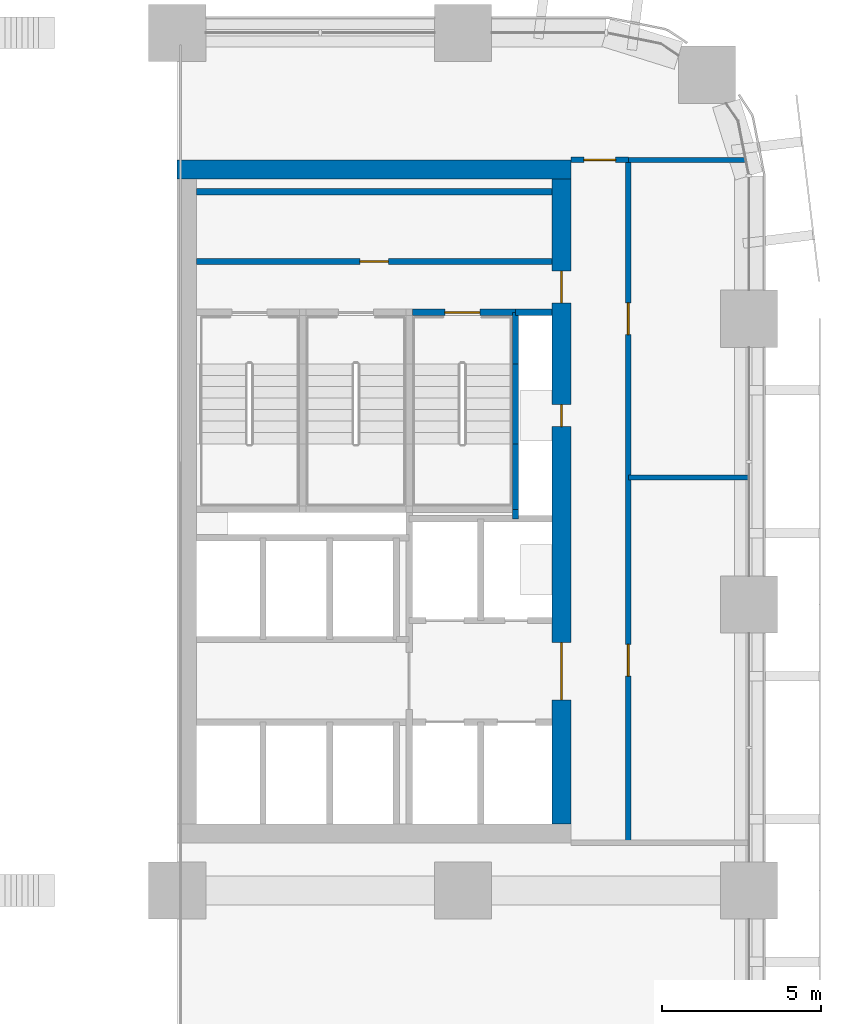
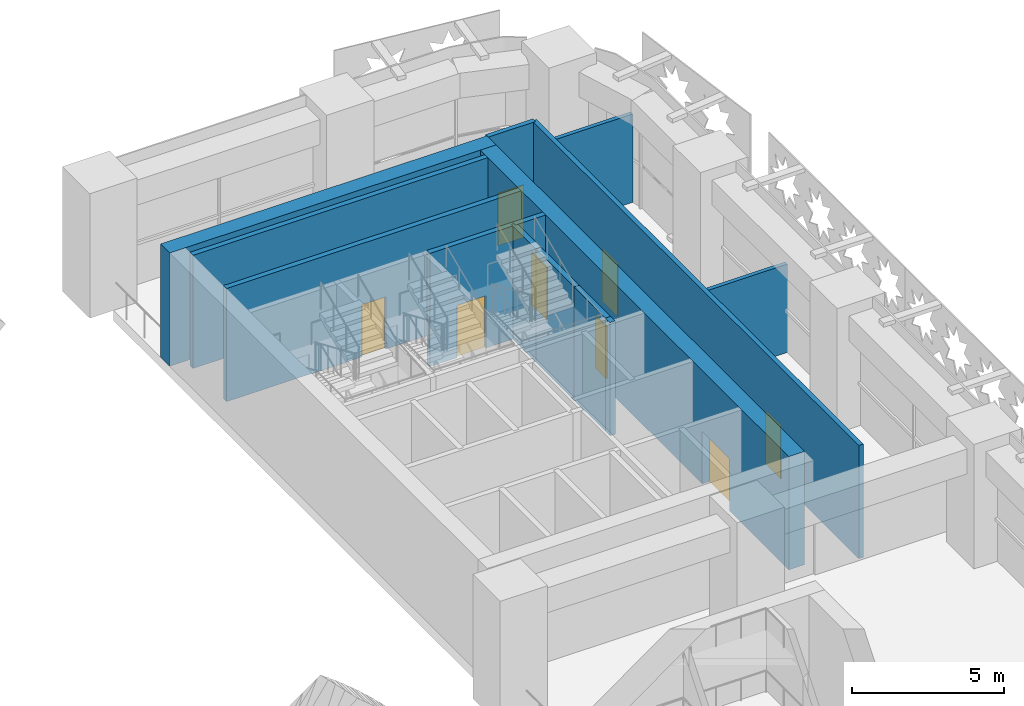
# One storey, part 22 of 40: 14 walls, 8 doors, 8 openings.
"""IFC4 building model written with IfcOpenShell, lengths in metres."""

from ifc_helpers import new_model, si_unit, direction, frame, frame_2d, origin, place, context, subcontext, project, spatial, rectangle, extrude, material, layer, layer_set, type_object, element, fill, save


model = new_model("IFC4")

# Units and contexts
model_context = context("Model", 3, precision=1e-05, world=origin(), true_north=direction((0.0, 1.0)))
body_context = subcontext(model_context, "Body", "Model", "MODEL_VIEW")
ifc_project = project(units=[si_unit("LENGTHUNIT", "METRE"), si_unit("AREAUNIT", "SQUARE_METRE"), si_unit("VOLUMEUNIT", "CUBIC_METRE"), si_unit("PLANEANGLEUNIT", "RADIAN"), si_unit("MASSUNIT", "GRAM", prefix="KILO")], contexts=[model_context])

# Site, building, storey
site_placement = place(None, origin())
site = spatial("IfcSite", under=ifc_project, at=site_placement, CompositionType="ELEMENT")
building_placement = place(site_placement, origin())
building = spatial("IfcBuilding", under=site, at=building_placement, Name="Tessera Arch", CompositionType="ELEMENT")
storey_placement = place(building_placement, frame((0.0, 0.0, 21.0)))
storey = spatial("IfcBuildingStorey", under=building, at=storey_placement, Name="L03", CompositionType="ELEMENT", Elevation=21.0)

# Wall, opening, door
ifc_material_1 = material(Name="Gypsum board on steel stud", Category="steel")
ifc_layer_1 = layer(ifc_material_1, 0.125)
ifc_layer_set_1 = layer_set([ifc_layer_1], Name="Core partition 125 EI 60")
wall_type_1 = type_object("IfcWallType", Name="Core partition 125 EI 60", PredefinedType="PARTITIONING", material=ifc_layer_set_1)
wall_1_placement = place(storey_placement, frame((36.60009765625, 46.800048828125, 0.0), z_axis=(0.0, 0.0, 1.0), x_axis=(1.0, 0.0, 0.0)))
wall_1 = element("IfcWall", 1, at=wall_1_placement, inside=storey, type_object=wall_type_1, Name="L03 C1 partition wall 37", PredefinedType="PARTITIONING", context=body_context, shape_type="SweptSolid", body=[
    extrude(rectangle(XDim=11.199951171875, YDim=0.199951171875, at=frame_2d((5.60009765625, 0.0))), origin(), (0.0, 0.0, 1.0), 4.550048828125),
])
opening_1_placement = place(wall_1_placement, frame((5.14990234375, 0.0, 0.0)))
opening_1 = element("IfcOpeningElement", 2, at=opening_1_placement, cuts=wall_1, Name="Opening L03-C12", PredefinedType="OPENING", context=body_context, shape_type="SweptSolid", body=[
    extrude(rectangle(XDim=0.89990234375, YDim=2.10009765625, at=frame_2d((0.449951171875, 1.050048828125))), frame((0.0, 0.10986328125, 0.0), z_axis=(0.0, -1.0, 0.0), x_axis=(1.0, 0.0, 0.0)), (0.0, 0.0, 1.0), 0.219970703125),
])
ifc_material_2 = material(Name="Steel door leaf", Category="steel")
door_type_1 = type_object("IfcDoorType", Name="Store door FD30S 900 x 2100", OperationType="SINGLE_SWING_LEFT", PredefinedType="DOOR", material=ifc_material_2)
door_1_placement = place(opening_1_placement, origin())
door_1 = element("IfcDoor", 3, at=door_1_placement, inside=storey, type_object=door_type_1, Name="L03 C1 door 12 C12 type D09", OperationType="SINGLE_SWING_RIGHT", OverallHeight=2.10009765625, OverallWidth=0.89990234375, PredefinedType="DOOR", context=body_context, shape_type="SweptSolid", body=[
    extrude(rectangle(XDim=0.89990234375, YDim=2.10009765625, at=frame_2d((0.449951171875, 1.050048828125))), frame((0.0, 0.02490234375, 0.0), z_axis=(0.0, -1.0, 0.0), x_axis=(1.0, 0.0, 0.0)), (0.0, 0.0, 1.0), 0.050048828125),
])
fill(opening_1, door_1)

# Walls
wall_2_placement = place(storey_placement, frame((36.60009765625, 49.0, 0.0), z_axis=(0.0, 0.0, 1.0), x_axis=(1.0, 0.0, 0.0)))
element("IfcWall", 4, at=wall_2_placement, inside=storey, type_object=wall_type_1, Name="L03 C1 partition wall 38", PredefinedType="PARTITIONING", context=body_context, shape_type="SweptSolid", body=[
    extrude(rectangle(XDim=11.199951171875, YDim=0.199951171875, at=frame_2d((5.60009765625, 0.0))), origin(), (0.0, 0.0, 1.0), 4.550048828125),
])
ifc_material_3 = material(Name="Concrete C70/85", Category="concrete")
ifc_layer_2 = layer(ifc_material_3, 0.60009765625)
ifc_layer_set_2 = layer_set([ifc_layer_2], Name="Core shell wall 600 C70-85")
wall_type_2 = type_object("IfcWallType", Name="Core shell wall 600 C70-85", PredefinedType="SHEAR", material=ifc_layer_set_2)
wall_3_placement = place(storey_placement, frame((36.0, 49.699951171875, 0.0), z_axis=(0.0, 0.0, 1.0), x_axis=(1.0, 0.0, 0.0)))
element("IfcWall", 5, at=wall_3_placement, inside=storey, type_object=wall_type_2, Name="L03 C1 core wall N", PredefinedType="SHEAR", context=body_context, shape_type="SweptSolid", body=[
    extrude(rectangle(XDim=12.39990234375, YDim=0.60009765625, at=frame_2d((6.199951171875, 0.0))), origin(), (0.0, 0.0, 1.0), 4.550048828125),
])

# Wall, openings, doors
wall_4_placement = place(storey_placement, frame((48.10009765625, 29.10009765625, 0.0), z_axis=(0.0, 0.0, 1.0), x_axis=(0.0, 1.0, 0.0)))
wall_4 = element("IfcWall", 6, at=wall_4_placement, inside=storey, type_object=wall_type_2, Name="L03 C1 core wall E", PredefinedType="SHEAR", context=body_context, shape_type="SweptSolid", body=[
    extrude(rectangle(XDim=20.2998046875, YDim=0.60009765625, at=frame_2d((10.14990234375, 0.0))), origin(), (0.0, 0.0, 1.0), 4.550048828125),
])
opening_2_placement = place(wall_4_placement, frame((12.5, 0.0, 0.0)))
opening_2 = element("IfcOpeningElement", 7, at=opening_2_placement, cuts=wall_4, Name="Opening L03-C08", PredefinedType="OPENING", context=body_context, shape_type="SweptSolid", body=[
    extrude(rectangle(XDim=0.699951171875, YDim=2.10009765625, at=frame_2d((0.35009765625, 1.050048828125))), frame((0.0, 0.31005859375, 0.0), z_axis=(0.0, -1.0, 0.0), x_axis=(1.0, 0.0, 0.0)), (0.0, 0.0, 1.0), 0.6201171875),
])
opening_3_placement = place(wall_4_placement, frame((3.89990234375, 0.0, 0.0)))
opening_3 = element("IfcOpeningElement", 8, at=opening_3_placement, cuts=wall_4, Name="Opening L03-C09", PredefinedType="OPENING", context=body_context, shape_type="SweptSolid", body=[
    extrude(rectangle(XDim=1.800048828125, YDim=2.10009765625, at=frame_2d((0.89990234375, 1.050048828125))), frame((0.0, 0.31005859375, 0.0), z_axis=(0.0, -1.0, 0.0), x_axis=(1.0, 0.0, 0.0)), (0.0, 0.0, 1.0), 0.6201171875),
])
opening_4_placement = place(wall_4_placement, frame((16.39990234375, 0.0, 0.0)))
opening_4 = element("IfcOpeningElement", 9, at=opening_4_placement, cuts=wall_4, Name="Opening L03-C11", PredefinedType="OPENING", context=body_context, shape_type="SweptSolid", body=[
    extrude(rectangle(XDim=1.0, YDim=2.10009765625, at=frame_2d((0.5, 1.050048828125))), frame((0.0, 0.31005859375, 0.0), z_axis=(0.0, -1.0, 0.0), x_axis=(1.0, 0.0, 0.0)), (0.0, 0.0, 1.0), 0.6201171875),
])
ifc_material_4 = material(Name="Steel door leaf", Category="steel")
door_type_2 = type_object("IfcDoorType", Name="Corridor door FD60 1000 x 2100", OperationType="SINGLE_SWING_LEFT", PredefinedType="DOOR", material=ifc_material_4)
door_2_placement = place(opening_4_placement, origin())
door_2 = element("IfcDoor", 10, at=door_2_placement, inside=storey, type_object=door_type_2, Name="L03 C1 door 11 C11 type D12", OperationType="SINGLE_SWING_RIGHT", OverallHeight=2.10009765625, OverallWidth=1.0, PredefinedType="DOOR", context=body_context, shape_type="SweptSolid", body=[
    extrude(rectangle(XDim=1.0, YDim=2.10009765625, at=frame_2d((0.5, 1.050048828125))), frame((0.0, 0.02490234375, 0.0), z_axis=(0.0, -1.0, 0.0), x_axis=(1.0, 0.0, 0.0)), (0.0, 0.0, 1.0), 0.050048828125),
])
fill(opening_4, door_2)
ifc_material_5 = material(Name="Glazed steel door leaf", Category="steel")
door_type_3 = type_object("IfcDoorType", Name="Lobby double door FD60 1800 x 2100", OperationType="DOUBLE_DOOR_SINGLE_SWING", PredefinedType="DOOR", material=ifc_material_5)
door_3_placement = place(opening_3_placement, origin())
door_3 = element("IfcDoor", 11, at=door_3_placement, inside=storey, type_object=door_type_3, Name="L03 C1 door 9 C09 type D19", OperationType="DOUBLE_DOOR_SINGLE_SWING", OverallHeight=2.10009765625, OverallWidth=1.800048828125, PredefinedType="DOOR", context=body_context, shape_type="SweptSolid", body=[
    extrude(rectangle(XDim=1.800048828125, YDim=2.10009765625, at=frame_2d((0.89990234375, 1.050048828125))), frame((0.0, 0.02490234375, 0.0), z_axis=(0.0, -1.0, 0.0), x_axis=(1.0, 0.0, 0.0)), (0.0, 0.0, 1.0), 0.050048828125),
])
fill(opening_3, door_3)
ifc_material_6 = material(Name="Steel door leaf", Category="steel")
door_type_4 = type_object("IfcDoorType", Name="Service shaft door FD60 700 x 2100", OperationType="SINGLE_SWING_LEFT", PredefinedType="DOOR", material=ifc_material_6)
door_4_placement = place(opening_2_placement, origin())
door_4 = element("IfcDoor", 12, at=door_4_placement, inside=storey, type_object=door_type_4, Name="L03 C1 door 8 C08 type D07", OperationType="SINGLE_SWING_RIGHT", OverallHeight=2.10009765625, OverallWidth=0.699951171875, PredefinedType="DOOR", context=body_context, shape_type="SweptSolid", body=[
    extrude(rectangle(XDim=0.699951171875, YDim=2.10009765625, at=frame_2d((0.35009765625, 1.050048828125))), frame((0.0, 0.02490234375, 0.0), z_axis=(0.0, -1.0, 0.0), x_axis=(1.0, 0.0, 0.0)), (0.0, 0.0, 1.0), 0.050048828125),
])
fill(opening_2, door_4)

# Wall, opening, door
ifc_material_7 = material(Name="Gypsum board on deep steel stud with mineral wool", Category="steel")
ifc_layer_3 = layer(ifc_material_7, 0.175048828125)
ifc_layer_set_3 = layer_set([ifc_layer_3], Name="Corridor wall 175 EI 60")
wall_type_3 = type_object("IfcWallType", Name="Corridor wall 175 EI 60", PredefinedType="PARTITIONING", material=ifc_layer_set_3)
wall_5_placement = place(storey_placement, frame((48.39990234375, 50.0, 0.0), z_axis=(0.0, 0.0, 1.0), x_axis=(1.0, 0.0, 0.0)))
wall_5 = element("IfcWall", 13, at=wall_5_placement, inside=storey, type_object=wall_type_3, Name="L03 partition 11", PredefinedType="PARTITIONING", context=body_context, shape_type="SweptSolid", body=[
    extrude(rectangle(XDim=1.800048828125, YDim=0.175048828125, at=frame_2d((0.89990234375, 0.0))), origin(), (0.0, 0.0, 1.0), 4.550048828125),
])
opening_5_placement = place(wall_5_placement, frame((0.39990234375, 0.0, 0.0)))
opening_5 = element("IfcOpeningElement", 14, at=opening_5_placement, cuts=wall_5, Name="Opening L03-D019", PredefinedType="OPENING", context=body_context, shape_type="SweptSolid", body=[
    extrude(rectangle(XDim=1.0, YDim=2.10009765625, at=frame_2d((0.5, 1.050048828125))), frame((0.0, 0.097412109375, 0.0), z_axis=(0.0, -1.0, 0.0), x_axis=(1.0, 0.0, 0.0)), (0.0, 0.0, 1.0), 0.195068359375),
])
ifc_material_8 = material(Name="Fire-rated door leaf")
door_type_5 = type_object("IfcDoorType", Name="Entrance door FD30S 1000 x 2100", OperationType="SINGLE_SWING_LEFT", PredefinedType="DOOR", material=ifc_material_8)
door_5_placement = place(opening_5_placement, origin())
door_5 = element("IfcDoor", 15, at=door_5_placement, inside=storey, type_object=door_type_5, Name="L03 door D019 type D03", OperationType="SINGLE_SWING_RIGHT", OverallHeight=2.10009765625, OverallWidth=1.0, PredefinedType="DOOR", context=body_context, shape_type="SweptSolid", body=[
    extrude(rectangle(XDim=1.0, YDim=2.10009765625, at=frame_2d((0.5, 1.050048828125))), frame((0.0, 0.02490234375, 0.0), z_axis=(0.0, -1.0, 0.0), x_axis=(1.0, 0.0, 0.0)), (0.0, 0.0, 1.0), 0.050048828125),
])
fill(opening_5, door_5)

# Wall, openings, doors
wall_6_placement = place(storey_placement, frame((50.199951171875, 28.5, 0.0), z_axis=(0.0, 0.0, 1.0), x_axis=(0.0, 1.0, 0.0)))
wall_6 = element("IfcWall", 16, at=wall_6_placement, inside=storey, type_object=wall_type_3, Name="L03 partition 21", PredefinedType="PARTITIONING", context=body_context, shape_type="SweptSolid", body=[
    extrude(rectangle(XDim=21.5, YDim=0.175048828125, at=frame_2d((10.75, 0.0))), origin(), (0.0, 0.0, 1.0), 4.550048828125),
])
opening_6_placement = place(wall_6_placement, frame((5.25, 0.0, 0.0)))
opening_6 = element("IfcOpeningElement", 17, at=opening_6_placement, cuts=wall_6, Name="Opening L03-D017", PredefinedType="OPENING", context=body_context, shape_type="SweptSolid", body=[
    extrude(rectangle(XDim=1.0, YDim=2.10009765625, at=frame_2d((0.5, 1.050048828125))), frame((0.0, 0.097412109375, 0.0), z_axis=(0.0, -1.0, 0.0), x_axis=(1.0, 0.0, 0.0)), (0.0, 0.0, 1.0), 0.195068359375),
])
opening_7_placement = place(wall_6_placement, frame((16.0, 0.0, 0.0)))
opening_7 = element("IfcOpeningElement", 18, at=opening_7_placement, cuts=wall_6, Name="Opening L03-D018", PredefinedType="OPENING", context=body_context, shape_type="SweptSolid", body=[
    extrude(rectangle(XDim=1.0, YDim=2.10009765625, at=frame_2d((0.5, 1.050048828125))), frame((0.0, 0.097412109375, 0.0), z_axis=(0.0, -1.0, 0.0), x_axis=(1.0, 0.0, 0.0)), (0.0, 0.0, 1.0), 0.195068359375),
])
door_6_placement = place(opening_6_placement, origin())
door_6 = element("IfcDoor", 19, at=door_6_placement, inside=storey, type_object=door_type_5, Name="L03 door D017 type D03", OperationType="SINGLE_SWING_LEFT", OverallHeight=2.10009765625, OverallWidth=1.0, PredefinedType="DOOR", context=body_context, shape_type="SweptSolid", body=[
    extrude(rectangle(XDim=1.0, YDim=2.10009765625, at=frame_2d((0.5, 1.050048828125))), frame((0.0, 0.02490234375, 0.0), z_axis=(0.0, -1.0, 0.0), x_axis=(1.0, 0.0, 0.0)), (0.0, 0.0, 1.0), 0.050048828125),
])
fill(opening_6, door_6)
door_7_placement = place(opening_7_placement, origin())
door_7 = element("IfcDoor", 20, at=door_7_placement, inside=storey, type_object=door_type_5, Name="L03 door D018 type D03", OperationType="SINGLE_SWING_LEFT", OverallHeight=2.10009765625, OverallWidth=1.0, PredefinedType="DOOR", context=body_context, shape_type="SweptSolid", body=[
    extrude(rectangle(XDim=1.0, YDim=2.10009765625, at=frame_2d((0.5, 1.050048828125))), frame((0.0, 0.02490234375, 0.0), z_axis=(0.0, -1.0, 0.0), x_axis=(1.0, 0.0, 0.0)), (0.0, 0.0, 1.0), 0.050048828125),
])
fill(opening_7, door_7)

# Walls
ifc_material_9 = material(Name="Gypsum board on steel stud", Category="steel")
ifc_layer_4 = layer(ifc_material_9, 0.14990234375)
ifc_layer_set_4 = layer_set([ifc_layer_4], Name="Partition 150")
wall_type_4 = type_object("IfcWallType", Name="Partition 150", PredefinedType="PARTITIONING", material=ifc_layer_set_4)
wall_7_placement = place(storey_placement, frame((50.199951171875, 40.0, 0.0), z_axis=(0.0, 0.0, 1.0), x_axis=(1.0, 0.0, 0.0)))
element("IfcWall", 21, at=wall_7_placement, inside=storey, type_object=wall_type_4, Name="L03 partition 26", PredefinedType="PARTITIONING", context=body_context, shape_type="SweptSolid", body=[
    extrude(rectangle(XDim=3.800048828125, YDim=0.14990234375, at=frame_2d((1.89990234375, 0.0))), origin(), (0.0, 0.0, 1.0), 3.550048828125),
])
wall_8_placement = place(storey_placement, frame((50.199951171875, 50.0, 0.0), z_axis=(0.0, 0.0, 1.0), x_axis=(1.0, 0.0, 0.0)))
element("IfcWall", 22, at=wall_8_placement, inside=storey, type_object=wall_type_4, Name="L03 partition 27", PredefinedType="PARTITIONING", context=body_context, shape_type="SweptSolid", body=[
    extrude(rectangle(XDim=3.700439453125, YDim=0.14990234375, at=frame_2d((1.85009765625, 0.0))), origin(), (0.0, 0.0, 1.0), 3.550048828125),
])
ifc_material_10 = material(Name="Concrete C40/50", Category="concrete")
ifc_layer_5 = layer(ifc_material_10, 0.199951171875)
ifc_layer_set_5 = layer_set([ifc_layer_5], Name="Shaft wall 200 EI 120")
wall_type_5 = type_object("IfcWallType", Name="Shaft wall 200 EI 120", PredefinedType="SOLIDWALL", material=ifc_layer_set_5)
wall_9_placement = place(storey_placement, frame((46.64990234375, 38.699951171875, 0.0), z_axis=(0.0, 0.0, 1.0), x_axis=(0.0, 1.0, 0.0)))
element("IfcWall", 23, at=wall_9_placement, inside=storey, type_object=wall_type_5, Name="L03 C1 shaft wall 16", PredefinedType="SOLIDWALL", context=body_context, shape_type="SweptSolid", body=[
    extrude(rectangle(XDim=0.300048828125, YDim=0.199951171875, at=frame_2d((0.14990234375, 0.0))), origin(), (0.0, 0.0, 1.0), 4.550048828125),
])
wall_10_placement = place(storey_placement, frame((46.64990234375, 45.199951171875, 0.0), z_axis=(0.0, 0.0, 1.0), x_axis=(1.0, 0.0, 0.0)))
element("IfcWall", 24, at=wall_10_placement, inside=storey, type_object=wall_type_5, Name="L03 C1 shaft wall 31", PredefinedType="SOLIDWALL", context=body_context, shape_type="SweptSolid", body=[
    extrude(rectangle(XDim=1.150146484375, YDim=0.199951171875, at=frame_2d((0.5751953125, 0.0))), origin(), (0.0, 0.0, 1.0), 4.550048828125),
])
ifc_material_11 = material(Name="Concrete C40/50", Category="concrete")
ifc_layer_6 = layer(ifc_material_11, 0.199951171875)
ifc_layer_set_6 = layer_set([ifc_layer_6], Name="Stair well wall 200 REI 180")
wall_type_6 = type_object("IfcWallType", Name="Stair well wall 200 REI 180", PredefinedType="SOLIDWALL", material=ifc_layer_set_6)
wall_11_placement = place(storey_placement, frame((46.64990234375, 39.0, 0.0), z_axis=(0.0, 0.0, 1.0), x_axis=(0.0, 1.0, 0.0)))
element("IfcWall", 25, at=wall_11_placement, inside=storey, type_object=wall_type_6, Name="L03 C1 shaft wall 17", PredefinedType="SOLIDWALL", context=body_context, shape_type="SweptSolid", body=[
    extrude(rectangle(XDim=2.06005859375, YDim=0.199951171875, at=frame_2d((1.030029296875, 0.0))), origin(), (0.0, 0.0, 1.0), 4.550048828125),
])
wall_12_placement = place(storey_placement, frame((46.64990234375, 41.06005859375, 0.0), z_axis=(0.0, 0.0, 1.0), x_axis=(0.0, 1.0, 0.0)))
element("IfcWall", 26, at=wall_12_placement, inside=storey, type_object=wall_type_6, Name="L03 C1 shaft wall 18", PredefinedType="SOLIDWALL", context=body_context, shape_type="SweptSolid", body=[
    extrude(rectangle(XDim=2.52001953125, YDim=0.199951171875, at=frame_2d((1.260009765625, 0.0))), origin(), (0.0, 0.0, 1.0), 4.550048828125),
])
wall_13_placement = place(storey_placement, frame((46.64990234375, 43.580078125, 0.0), z_axis=(0.0, 0.0, 1.0), x_axis=(0.0, 1.0, 0.0)))
element("IfcWall", 27, at=wall_13_placement, inside=storey, type_object=wall_type_6, Name="L03 C1 shaft wall 19", PredefinedType="SOLIDWALL", context=body_context, shape_type="SweptSolid", body=[
    extrude(rectangle(XDim=1.619873046875, YDim=0.199951171875, at=frame_2d((0.81005859375, 0.0))), origin(), (0.0, 0.0, 1.0), 4.550048828125),
])

# Wall, opening, door
wall_14_placement = place(storey_placement, frame((43.39990234375, 45.199951171875, 0.0), z_axis=(0.0, 0.0, 1.0), x_axis=(1.0, 0.0, 0.0)))
wall_14 = element("IfcWall", 28, at=wall_14_placement, inside=storey, type_object=wall_type_6, Name="L03 C1 shaft wall 36", PredefinedType="SOLIDWALL", context=body_context, shape_type="SweptSolid", body=[
    extrude(rectangle(XDim=3.25, YDim=0.199951171875, at=frame_2d((1.625, 0.0))), origin(), (0.0, 0.0, 1.0), 4.550048828125),
])
opening_8_placement = place(wall_14_placement, frame((1.02490234375, 0.0, 0.0)))
opening_8 = element("IfcOpeningElement", 29, at=opening_8_placement, cuts=wall_14, Name="Opening L03-C07", PredefinedType="OPENING", context=body_context, shape_type="SweptSolid", body=[
    extrude(rectangle(XDim=1.10009765625, YDim=2.10009765625, at=frame_2d((0.550048828125, 1.050048828125))), frame((0.0, 0.10986328125, 0.0), z_axis=(0.0, -1.0, 0.0), x_axis=(1.0, 0.0, 0.0)), (0.0, 0.0, 1.0), 0.219970703125),
])
ifc_material_12 = material(Name="Steel door leaf", Category="steel")
door_type_6 = type_object("IfcDoorType", Name="Stair door FD60 1100 x 2100", OperationType="SINGLE_SWING_LEFT", PredefinedType="DOOR", material=ifc_material_12)
door_8_placement = place(opening_8_placement, origin())
door_8 = element("IfcDoor", 30, at=door_8_placement, inside=storey, type_object=door_type_6, Name="L03 C1 door 7 C07 type D05", OperationType="SINGLE_SWING_LEFT", OverallHeight=2.10009765625, OverallWidth=1.10009765625, PredefinedType="DOOR", context=body_context, shape_type="SweptSolid", body=[
    extrude(rectangle(XDim=1.10009765625, YDim=2.10009765625, at=frame_2d((0.550048828125, 1.050048828125))), frame((0.0, 0.02490234375, 0.0), z_axis=(0.0, -1.0, 0.0), x_axis=(1.0, 0.0, 0.0)), (0.0, 0.0, 1.0), 0.050048828125),
])
fill(opening_8, door_8)

save(model, "model.ifc")
